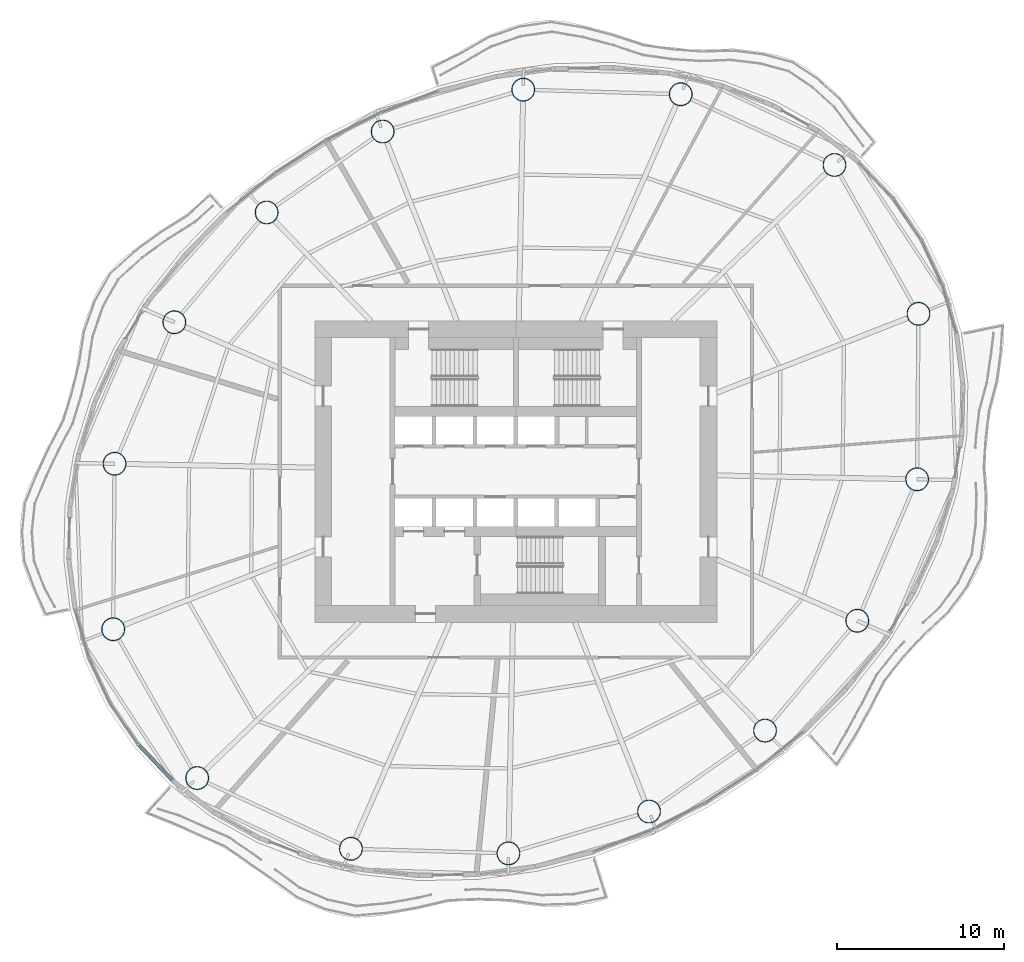
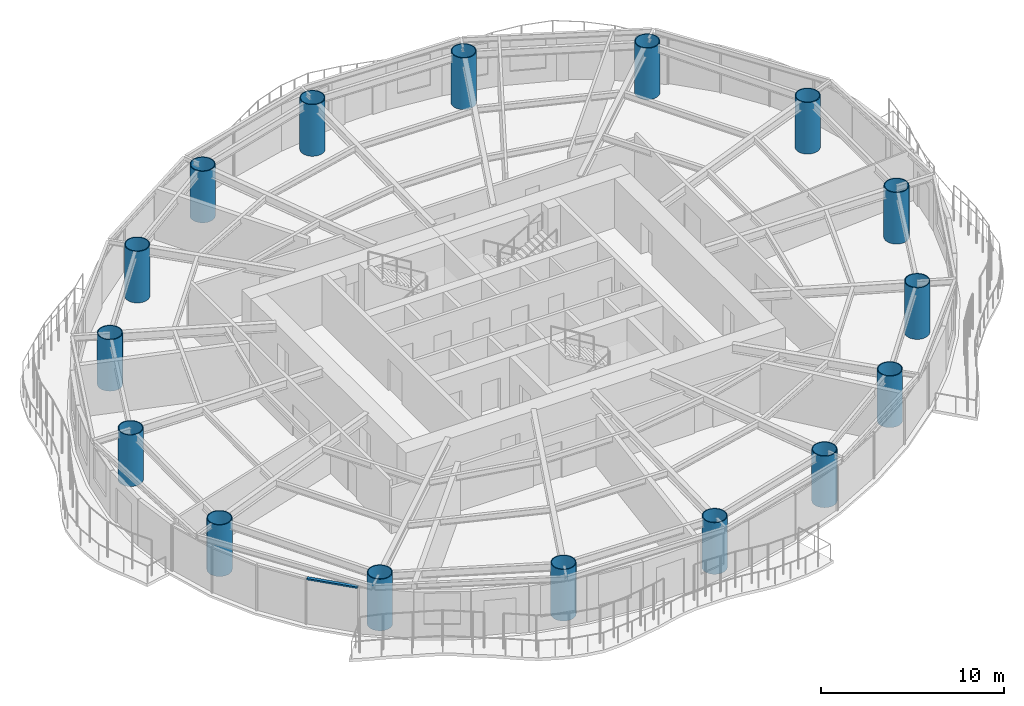
# One storey, part 1 of 15: 16 columns, 1 member, 1 element without a shape of its own.
"""IFC4 building model written with IfcOpenShell, lengths in metres."""

from ifc_helpers import new_model, si_unit, direction, frame, origin, origin_2d, place, context, subcontext, project, spatial, rectangle, hollow_circle, extrude, material, material_profile, profile_set, type_object, element, aggregate, save


model = new_model("IFC4")

# Units and contexts
model_context = context("Model", 3, precision=1e-05, world=origin(), true_north=direction((0.0, 1.0)))
body_context = subcontext(model_context, "Body", "Model", "MODEL_VIEW")
ifc_project = project(units=[si_unit("LENGTHUNIT", "METRE"), si_unit("AREAUNIT", "SQUARE_METRE"), si_unit("VOLUMEUNIT", "CUBIC_METRE"), si_unit("PLANEANGLEUNIT", "RADIAN"), si_unit("MASSUNIT", "GRAM", prefix="KILO")], contexts=[model_context])

# Site, building, storey
site_placement = place(None, origin())
site = spatial("IfcSite", under=ifc_project, at=site_placement, CompositionType="ELEMENT")
building_placement = place(site_placement, origin())
building = spatial("IfcBuilding", under=site, at=building_placement, Name="Vermilion Reach Broadcast Tower", CompositionType="ELEMENT")
storey_placement = place(building_placement, frame((0.0, 0.0, 154.199951171875)))
storey = spatial("IfcBuildingStorey", under=building, at=storey_placement, Name="L36", CompositionType="ELEMENT", Elevation=154.199951171875)

# Columns
ifc_material_1 = material(Name="Concrete C70 infill in steel S460NL tube", Category="concrete")
ifc_material_profile_1 = material_profile(ifc_material_1, hollow_circle(Radius=0.699951171875, WallThickness=0.050048828125, at=origin_2d()), Name="Concrete C70 infill in steel S460NL tube CFT 1400x50")
ifc_profile_set_1 = profile_set([ifc_material_profile_1], Name="Concrete C70 infill in steel S460NL tube")
column_type = type_object("IfcColumnType", Name="MC3 CFT 1400x50", PredefinedType="COLUMN", material=ifc_profile_set_1)
for number, where, z_axis, x_axis, name in (
    (1, (13.02587890625, 18.302734375, 0.0), (0.0, 0.0, 1.0), (1.0, 0.0, 0.0), "Mega-column MC3-01"),
    (2, (3.84521484375, 22.524169921875, 0.0), (0.0, 0.0, 1.0), (1.0, 0.0, 0.0), "Mega-column MC3-02"),
    (3, (-5.558349609375, 22.800048828125, 0.0), (0.0, 0.0, 1.0), (1.0, 0.0, 0.0), "Mega-column MC3-03"),
    (4, (-13.95166015625, 20.30078125, 0.0), (0.0, 0.0, 1.0), (1.0, 0.0, 0.0), "Mega-column MC3-04"),
    (5, (-20.879150390625, 15.46728515625, 0.0), (0.0, 0.0, 1.0), (1.0, 0.0, 0.0), "Mega-column MC3-05"),
    (6, (-26.38818359375, 8.91162109375, 0.0), (0.0, 0.0, 1.0), (1.0, 0.0, 0.0), "Mega-column MC3-06"),
    (7, (-29.95947265625, 0.464111328125, 0.0), (0.0, 0.0, 1.0), (1.0, 0.0, 0.0), "Mega-column MC3-07"),
    (8, (-30.04052734375, -9.41650390625, 0.0), (0.0, 0.0, 1.0), (1.0, 0.0, 0.0), "Mega-column MC3-08"),
    (9, (-25.02587890625, -18.302734375, 0.0), (0.0, 0.0, 1.0), (1.0, 0.0, 0.0), "Mega-column MC3-09"),
    (10, (-15.84521484375, -22.524169921875, 0.0), (0.0, 0.0, 1.0), (1.0, 0.0, 0.0), "Mega-column MC3-10"),
    (11, (-6.441650390625, -22.800048828125, 0.0), (0.0, 0.0, 1.0), (1.0, 0.0, 0.0), "Mega-column MC3-11"),
    (12, (1.95166015625, -20.30078125, 0.0), (0.0, 0.0, 1.0), (1.0, 0.0, 0.0), "Mega-column MC3-12"),
    (13, (8.879150390625, -15.46728515625, 0.0), (0.0, 0.0, 1.0), (1.0, 0.0, 0.0), "Mega-column MC3-13"),
    (14, (14.38818359375, -8.91162109375, 0.0), (0.0, 0.0, 1.0), (1.0, 0.0, 0.0), "Mega-column MC3-14"),
    (15, (17.95947265625, -0.464111328125, 0.0), (0.0, 0.0, 1.0), (1.0, 0.0, 0.0), "Mega-column MC3-15"),
    (16, (18.04052734375, 9.41650390625, 0.0), (0.0, 0.0, 1.0), (1.0, 0.0, 0.0), "Mega-column MC3-16"),
):
    element("IfcColumn", number, at=place(storey_placement, frame(where, z_axis=z_axis, x_axis=x_axis)), inside=storey, type_object=column_type, Name=name, PredefinedType="COLUMN", context=body_context, shape_type="SweptSolid", body=[
        extrude(hollow_circle(Radius=0.699951171875, WallThickness=0.050048828125, at=origin_2d()), origin(), (0.0, 0.0, 1.0), 3.449951171875),
    ])

# Curtain wall, member
ifc_material_2 = material(Name="Low-e laminated clear glass in aluminium frame", Category="aluminium")
curtain_wall_type = type_object("IfcCurtainWallType", Name="Slot curtain wall", PredefinedType="NOTDEFINED", material=ifc_material_2)
curtain_wall_placement = place(storey_placement, origin())
curtain_wall = element("IfcCurtainWall", 17, at=curtain_wall_placement, inside=storey, type_object=curtain_wall_type, Name="Slot curtain wall L36 25", PredefinedType="NOTDEFINED")
ifc_material_3 = material(Name="Anodised aluminium", Category="aluminium")
ifc_material_profile_2 = material_profile(ifc_material_3, rectangle(XDim=0.199951171875, YDim=0.10009765625, at=origin_2d()), Name="Slot transom 200 x 100")
ifc_profile_set_2 = profile_set([ifc_material_profile_2], Name="Anodised aluminium")
member_type = type_object("IfcMemberType", Name="Slot transom 200 x 100", PredefinedType="USERDEFINED", material=ifc_profile_set_2)
member_placement = place(storey_placement, frame((-28.500244140625, -16.32763671875, 3.050048828125), z_axis=(0.687114044601, -0.726549578289, 0.0), x_axis=(0.726549578289, 0.687114044601, 0.0)))
member = element("IfcMember", 18, at=member_placement, type_object=member_type, Name="Slot transom L36 25.1", ObjectType="TRANSOM", PredefinedType="USERDEFINED", context=body_context, shape_type="SweptSolid", body=[
    extrude(rectangle(XDim=0.199951171875, YDim=0.10009765625, at=origin_2d()), origin(), (0.0, 0.0, 1.0), 2.922119140625),
])
aggregate(curtain_wall, [member])

save(model, "model.ifc")
